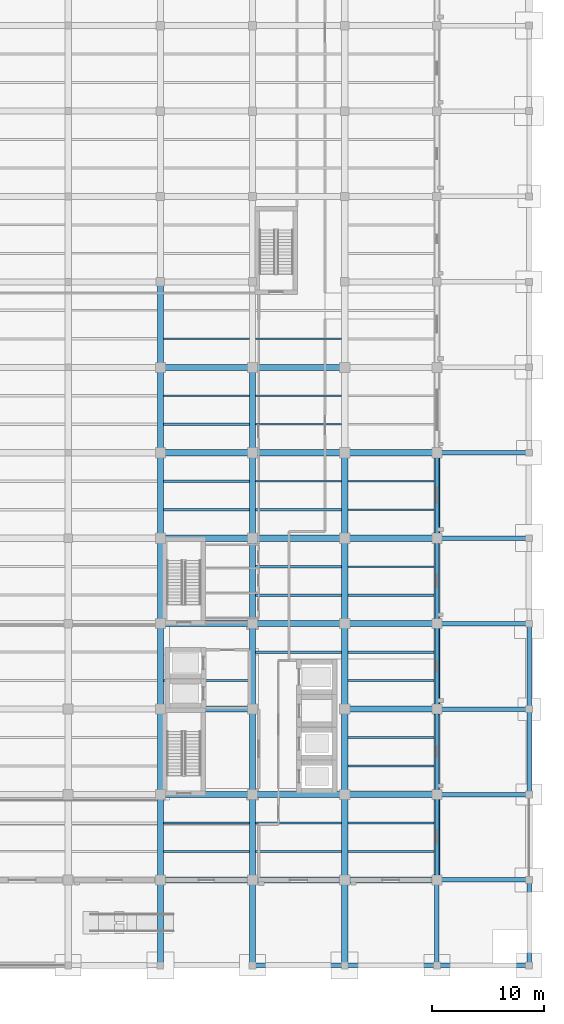
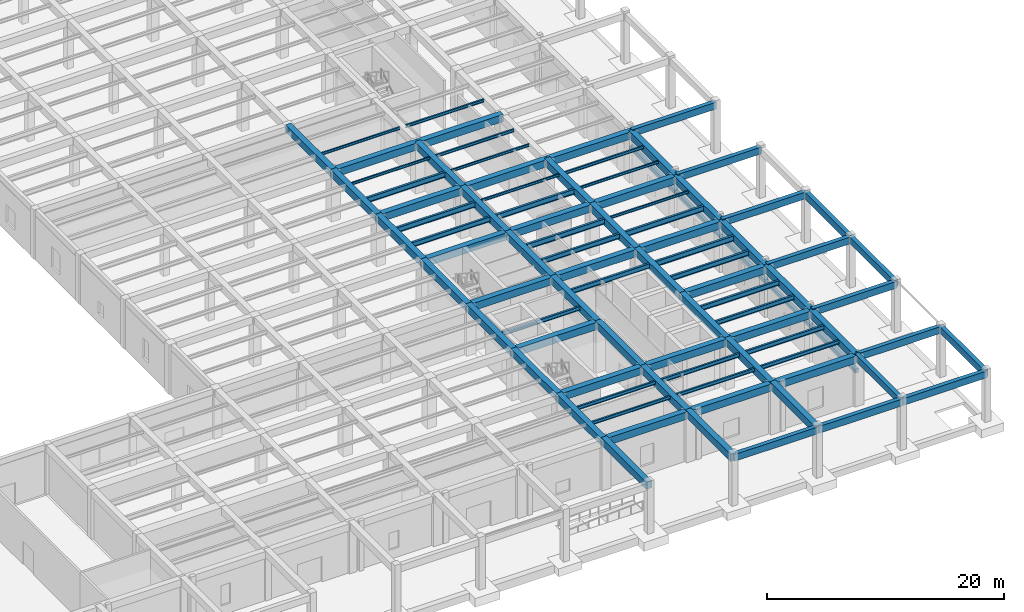
# One storey, part 31 of 64: 91 beams.
"""IFC4 building model written with IfcOpenShell, lengths in metres."""

from ifc_helpers import new_model, si_unit, direction, frame, origin, origin_2d, place, context, subcontext, project, spatial, rectangle, i_section, extrude, material, material_profile, profile_set, type_object, element, save


model = new_model("IFC4")

# Units and contexts
model_context = context("Model", 3, precision=1e-05, world=origin(), true_north=direction((0.0, 1.0)))
body_context = subcontext(model_context, "Body", "Model", "MODEL_VIEW")
ifc_project = project(units=[si_unit("LENGTHUNIT", "METRE"), si_unit("AREAUNIT", "SQUARE_METRE"), si_unit("VOLUMEUNIT", "CUBIC_METRE"), si_unit("PLANEANGLEUNIT", "RADIAN"), si_unit("MASSUNIT", "GRAM", prefix="KILO")], contexts=[model_context])

# Site, building, storey
site_placement = place(None, origin())
site = spatial("IfcSite", under=ifc_project, at=site_placement, CompositionType="ELEMENT")
building_placement = place(site_placement, origin())
building = spatial("IfcBuilding", under=site, at=building_placement, Name="Qandaris Square Conservatory and Botanical Centre", CompositionType="ELEMENT")
storey_placement = place(building_placement, origin())
storey = spatial("IfcBuildingStorey", under=building, at=storey_placement, Name="L00", CompositionType="ELEMENT", Elevation=0.0)

# Beams
ifc_material_1 = material(Name="Steel S355", Category="steel")
ifc_material_profile_1 = material_profile(ifc_material_1, i_section(OverallWidth=0.18994140625, OverallDepth=0.449951171875, WebThickness=0.009521484375, FlangeThickness=0.0146484375, FilletRadius=0.02099609375, at=origin_2d()), Name="IPE 450")
ifc_profile_set_1 = profile_set([ifc_material_profile_1], Name="Steel S355")
beam_type_1 = type_object("IfcBeamType", Name="Composite Archive Joist IPE 450", PredefinedType="JOIST", material=ifc_profile_set_1)
for number, where, z_axis, x_axis, name in (
    (1, (155.875, 21.666748046875, 4.864990234375), (1.0, 0.0, 0.0), (0.0, 1.0, 0.0), "L00 Composite Joist 0876"),
    (2, (155.875, 26.7333984375, 4.864990234375), (1.0, 0.0, 0.0), (0.0, 1.0, 0.0), "L00 Composite Joist 0877"),
):
    element("IfcBeam", number, at=place(storey_placement, frame(where, z_axis=z_axis, x_axis=x_axis)), inside=storey, type_object=beam_type_1, Name=name, PredefinedType="JOIST", context=body_context, shape_type="SweptSolid", body=[
        extrude(i_section(OverallWidth=0.18994140625, OverallDepth=0.449951171875, WebThickness=0.009521484375, FlangeThickness=0.0146484375, FilletRadius=0.02099609375, at=origin_2d()), origin(), (0.0, 0.0, 1.0), 7.64990234375),
    ])
ifc_material_profile_2 = material_profile(ifc_material_1, i_section(OverallWidth=0.199951171875, OverallDepth=0.5, WebThickness=0.01025390625, FlangeThickness=0.01611328125, FilletRadius=0.02099609375, at=origin_2d()), Name="IPE 500")
ifc_profile_set_2 = profile_set([ifc_material_profile_2], Name="Steel S355")
beam_type_2 = type_object("IfcBeamType", Name="Composite Gallery Joist IPE 500", PredefinedType="JOIST", material=ifc_profile_set_2)
for number, where, z_axis, x_axis, name in (
    (3, (139.47509765625, 49.533203125, 4.840087890625), (1.0, 0.0, 0.0), (0.0, 1.0, 0.0), "L00 Composite Joist 0840"),
    (4, (147.675048828125, 36.86669921875, 4.840087890625), (1.0, 0.0, 0.0), (0.0, 1.0, 0.0), "L00 Composite Joist 0858"),
    (5, (147.675048828125, 41.933349609375, 4.840087890625), (1.0, 0.0, 0.0), (0.0, 1.0, 0.0), "L00 Composite Joist 0859"),
    (6, (155.875, 29.2666015625, 4.840087890625), (1.0, 0.0, 0.0), (0.0, 1.0, 0.0), "L00 Composite Joist 0878"),
    (7, (155.875, 34.333251953125, 4.840087890625), (1.0, 0.0, 0.0), (0.0, 1.0, 0.0), "L00 Composite Joist 0879"),
):
    element("IfcBeam", number, at=place(storey_placement, frame(where, z_axis=z_axis, x_axis=x_axis)), inside=storey, type_object=beam_type_2, Name=name, PredefinedType="JOIST", context=body_context, shape_type="SweptSolid", body=[
        extrude(i_section(OverallWidth=0.199951171875, OverallDepth=0.5, WebThickness=0.01025390625, FlangeThickness=0.01611328125, FilletRadius=0.02099609375, at=origin_2d()), origin(), (0.0, 0.0, 1.0), 7.64990234375),
    ])
ifc_material_profile_3 = material_profile(ifc_material_1, i_section(OverallWidth=0.14990234375, OverallDepth=0.300048828125, WebThickness=0.007080078125, FlangeThickness=0.0107421875, FilletRadius=0.014892578125, at=origin_2d()), Name="IPE 300")
ifc_profile_set_3 = profile_set([ifc_material_profile_3], Name="Steel S355")
beam_type_3 = type_object("IfcBeamType", Name="Composite Lab Joist IPE 300", PredefinedType="JOIST", material=ifc_profile_set_3)
for number, where, z_axis, x_axis, name in (
    (8, (147.675048828125, 59.666748046875, 4.93994140625), (1.0, 0.0, 0.0), (0.0, 1.0, 0.0), "L00 Composite Joist 0864"),
    (9, (147.675048828125, 64.7333984375, 4.93994140625), (1.0, 0.0, 0.0), (0.0, 1.0, 0.0), "L00 Composite Joist 0865"),
    (10, (155.875, 52.066650390625, 4.93994140625), (1.0, 0.0, 0.0), (0.0, 1.0, 0.0), "L00 Composite Joist 0884"),
):
    element("IfcBeam", number, at=place(storey_placement, frame(where, z_axis=z_axis, x_axis=x_axis)), inside=storey, type_object=beam_type_3, Name=name, PredefinedType="JOIST", context=body_context, shape_type="SweptSolid", body=[
        extrude(i_section(OverallWidth=0.14990234375, OverallDepth=0.300048828125, WebThickness=0.007080078125, FlangeThickness=0.0107421875, FilletRadius=0.014892578125, at=origin_2d()), origin(), (0.0, 0.0, 1.0), 7.64990234375),
    ])
ifc_material_profile_4 = material_profile(ifc_material_1, i_section(OverallWidth=0.159912109375, OverallDepth=0.330078125, WebThickness=0.007568359375, FlangeThickness=0.011474609375, FilletRadius=0.01806640625, at=origin_2d()), Name="IPE 330")
ifc_profile_set_4 = profile_set([ifc_material_profile_4], Name="Steel S355")
beam_type_4 = type_object("IfcBeamType", Name="Composite Lab Joist IPE 330", PredefinedType="JOIST", material=ifc_profile_set_4)
beam_1_placement = place(storey_placement, frame((139.47509765625, 19.13330078125, 4.925048828125), z_axis=(1.0, 0.0, 0.0), x_axis=(0.0, 1.0, 0.0)))
element("IfcBeam", 11, at=beam_1_placement, inside=storey, type_object=beam_type_4, Name="L00 Composite Joist 0837", PredefinedType="JOIST", context=body_context, shape_type="SweptSolid", body=[
    extrude(i_section(OverallWidth=0.159912109375, OverallDepth=0.330078125, WebThickness=0.007568359375, FlangeThickness=0.011474609375, FilletRadius=0.01806640625, at=origin_2d()), origin(), (0.0, 0.0, 1.0), 7.64990234375),
])
ifc_material_profile_5 = material_profile(ifc_material_1, i_section(OverallWidth=0.169921875, OverallDepth=0.360107421875, WebThickness=0.008056640625, FlangeThickness=0.0126953125, FilletRadius=0.01806640625, at=origin_2d()), Name="IPE 360")
ifc_profile_set_5 = profile_set([ifc_material_profile_5], Name="Steel S355")
beam_type_5 = type_object("IfcBeamType", Name="Composite Lab Joist IPE 360", PredefinedType="JOIST", material=ifc_profile_set_5)
for number, where, z_axis, x_axis, name in (
    (12, (139.47509765625, 21.666748046875, 4.909912109375), (1.0, 0.0, 0.0), (0.0, 1.0, 0.0), "L00 Composite Joist 0838"),
    (13, (147.675048828125, 19.13330078125, 4.909912109375), (1.0, 0.0, 0.0), (0.0, 1.0, 0.0), "L00 Composite Joist 0856"),
):
    element("IfcBeam", number, at=place(storey_placement, frame(where, z_axis=z_axis, x_axis=x_axis)), inside=storey, type_object=beam_type_5, Name=name, PredefinedType="JOIST", context=body_context, shape_type="SweptSolid", body=[
        extrude(i_section(OverallWidth=0.169921875, OverallDepth=0.360107421875, WebThickness=0.008056640625, FlangeThickness=0.0126953125, FilletRadius=0.01806640625, at=origin_2d()), origin(), (0.0, 0.0, 1.0), 7.64990234375),
    ])
ifc_material_profile_6 = material_profile(ifc_material_1, i_section(OverallWidth=0.179931640625, OverallDepth=0.39990234375, WebThickness=0.008544921875, FlangeThickness=0.013427734375, FilletRadius=0.02099609375, at=origin_2d()), Name="IPE 400")
ifc_profile_set_6 = profile_set([ifc_material_profile_6], Name="Steel S355")
beam_type_6 = type_object("IfcBeamType", Name="Composite Plinth Joist IPE 400", PredefinedType="JOIST", material=ifc_profile_set_6)
for number, where, z_axis, x_axis, name in (
    (14, (139.47509765625, 34.333251953125, 4.889892578125), (1.0, 0.0, 0.0), (0.0, 1.0, 0.0), "L00 Composite Joist 0839"),
    (15, (147.675048828125, 21.666748046875, 4.889892578125), (1.0, 0.0, 0.0), (0.0, 1.0, 0.0), "L00 Composite Joist 0857"),
    (16, (155.875, 19.13330078125, 4.889892578125), (1.0, 0.0, 0.0), (0.0, 1.0, 0.0), "L00 Composite Joist 0875"),
):
    element("IfcBeam", number, at=place(storey_placement, frame(where, z_axis=z_axis, x_axis=x_axis)), inside=storey, type_object=beam_type_6, Name=name, PredefinedType="JOIST", context=body_context, shape_type="SweptSolid", body=[
        extrude(i_section(OverallWidth=0.179931640625, OverallDepth=0.39990234375, WebThickness=0.008544921875, FlangeThickness=0.013427734375, FilletRadius=0.02099609375, at=origin_2d()), origin(), (0.0, 0.0, 1.0), 7.64990234375),
    ])
ifc_material_profile_7 = material_profile(ifc_material_1, i_section(OverallWidth=0.2099609375, OverallDepth=0.550048828125, WebThickness=0.010986328125, FlangeThickness=0.01708984375, FilletRadius=0.02392578125, at=origin_2d()), Name="IPE 550")
ifc_profile_set_7 = profile_set([ifc_material_profile_7], Name="Steel S355")
beam_type_7 = type_object("IfcBeamType", Name="Long-Span Foyer Joist IPE 550", PredefinedType="JOIST", material=ifc_profile_set_7)
for number, where, z_axis, x_axis, name in (
    (17, (139.47509765625, 52.066650390625, 4.81494140625), (1.0, 0.0, 0.0), (0.0, 1.0, 0.0), "L00 Composite Joist 0841"),
    (18, (139.47509765625, 57.13330078125, 4.81494140625), (1.0, 0.0, 0.0), (0.0, 1.0, 0.0), "L00 Composite Joist 0842"),
    (19, (147.675048828125, 44.466796875, 4.81494140625), (1.0, 0.0, 0.0), (0.0, 1.0, 0.0), "L00 Composite Joist 0860"),
    (20, (147.675048828125, 49.533203125, 4.81494140625), (1.0, 0.0, 0.0), (0.0, 1.0, 0.0), "L00 Composite Joist 0861"),
    (21, (155.875, 36.86669921875, 4.81494140625), (1.0, 0.0, 0.0), (0.0, 1.0, 0.0), "L00 Composite Joist 0880"),
    (22, (155.875, 41.933349609375, 4.81494140625), (1.0, 0.0, 0.0), (0.0, 1.0, 0.0), "L00 Composite Joist 0881"),
):
    element("IfcBeam", number, at=place(storey_placement, frame(where, z_axis=z_axis, x_axis=x_axis)), inside=storey, type_object=beam_type_7, Name=name, PredefinedType="JOIST", context=body_context, shape_type="SweptSolid", body=[
        extrude(i_section(OverallWidth=0.2099609375, OverallDepth=0.550048828125, WebThickness=0.010986328125, FlangeThickness=0.01708984375, FilletRadius=0.02392578125, at=origin_2d()), origin(), (0.0, 0.0, 1.0), 7.64990234375),
    ])
ifc_material_2 = material(Name="Precast concrete C40/50", Category="concrete")
ifc_material_profile_8 = material_profile(ifc_material_2, rectangle(XDim=0.300048828125, YDim=0.35009765625, at=origin_2d()), Name="RC-LN 300x350")
ifc_profile_set_8 = profile_set([ifc_material_profile_8], Name="Precast concrete C40/50")
beam_type_8 = type_object("IfcBeamType", Name="Precast Opening Lintel 300x350", PredefinedType="LINTEL", material=ifc_profile_set_8)
for number, where, z_axis, x_axis, name in (
    (23, (163.800048828125, 24.199951171875, 3.294921875), (0.0, 1.0, 0.0), (-1.0, 0.0, 0.0), "Precast Lintel 002"),
    (24, (163.800048828125, 39.39990234375, 3.294921875), (0.0, 1.0, 0.0), (-1.0, 0.0, 0.0), "Precast Lintel 004"),
):
    element("IfcBeam", number, at=place(storey_placement, frame(where, z_axis=z_axis, x_axis=x_axis)), inside=storey, type_object=beam_type_8, Name=name, PredefinedType="LINTEL", context=body_context, shape_type="SweptSolid", body=[
        extrude(rectangle(XDim=0.300048828125, YDim=0.35009765625, at=origin_2d()), origin(), (0.0, 0.0, 1.0), 7.60009765625),
    ])
ifc_material_profile_9 = material_profile(ifc_material_2, rectangle(XDim=0.35009765625, YDim=0.39990234375, at=origin_2d()), Name="RC-LN 350x400")
ifc_profile_set_9 = profile_set([ifc_material_profile_9], Name="Precast concrete C40/50")
beam_type_9 = type_object("IfcBeamType", Name="Precast Opening Lintel 350x400", PredefinedType="LINTEL", material=ifc_profile_set_9)
for number, where, z_axis, x_axis, name in (
    (25, (163.800048828125, 16.60009765625, 3.320068359375), (0.0, 1.0, 0.0), (-1.0, 0.0, 0.0), "Precast Lintel 001"),
    (26, (163.800048828125, 31.800048828125, 3.320068359375), (0.0, 1.0, 0.0), (-1.0, 0.0, 0.0), "Precast Lintel 003"),
):
    element("IfcBeam", number, at=place(storey_placement, frame(where, z_axis=z_axis, x_axis=x_axis)), inside=storey, type_object=beam_type_9, Name=name, PredefinedType="LINTEL", context=body_context, shape_type="SweptSolid", body=[
        extrude(rectangle(XDim=0.35009765625, YDim=0.39990234375, at=origin_2d()), origin(), (0.0, 0.0, 1.0), 7.599853515625),
    ])
beam_2_placement = place(storey_placement, frame((163.800048828125, 47.0, 3.320068359375), z_axis=(0.0, 1.0, 0.0), x_axis=(-1.0, 0.0, 0.0)))
element("IfcBeam", 27, at=beam_2_placement, inside=storey, type_object=beam_type_9, Name="Precast Lintel 005", PredefinedType="LINTEL", context=body_context, shape_type="SweptSolid", body=[
    extrude(rectangle(XDim=0.35009765625, YDim=0.39990234375, at=origin_2d()), origin(), (0.0, 0.0, 1.0), 7.60009765625),
])
ifc_material_3 = material(Name="Concrete C50/60", Category="concrete")
ifc_material_profile_10 = material_profile(ifc_material_3, rectangle(XDim=0.39990234375, YDim=0.699951171875, at=origin_2d()), Name="RC-SP 400x700")
ifc_profile_set_10 = profile_set([ifc_material_profile_10], Name="Concrete C50/60")
beam_type_10 = type_object("IfcBeamType", Name="RC Colonnade Spandrel Beam 400x700", PredefinedType="SPANDREL", material=ifc_profile_set_10)
beam_3_placement = place(storey_placement, frame((147.39990234375, 9.0, 4.824951171875), z_axis=(1.0, 0.0, 0.0), x_axis=(0.0, 1.0, 0.0)))
element("IfcBeam", 28, at=beam_3_placement, inside=storey, type_object=beam_type_10, Name="L00 Frame Beam 0331", PredefinedType="SPANDREL", context=body_context, shape_type="SweptSolid", body=[
    extrude(rectangle(XDim=0.39990234375, YDim=0.699951171875, at=origin_2d()), origin(), (0.0, 0.0, 1.0), 8.2001953125),
])
for number, where, z_axis, x_axis, name in (
    (29, (155.60009765625, 9.0, 4.824951171875), (1.0, 0.0, 0.0), (0.0, 1.0, 0.0), "L00 Frame Beam 0332"),
    (30, (163.800048828125, 9.0, 4.824951171875), (1.0, 0.0, 0.0), (0.0, 1.0, 0.0), "L00 Frame Beam 0333"),
    (31, (163.800048828125, 16.60009765625, 4.824951171875), (1.0, 0.0, 0.0), (0.0, 1.0, 0.0), "L00 Frame Beam 0353"),
    (32, (163.800048828125, 24.199951171875, 4.824951171875), (1.0, 0.0, 0.0), (0.0, 1.0, 0.0), "L00 Frame Beam 0364"),
    (33, (163.800048828125, 31.800048828125, 4.824951171875), (1.0, 0.0, 0.0), (0.0, 1.0, 0.0), "L00 Frame Beam 0374"),
    (34, (163.800048828125, 39.39990234375, 4.824951171875), (1.0, 0.0, 0.0), (0.0, 1.0, 0.0), "L00 Frame Beam 0391"),
    (35, (163.800048828125, 47.0, 4.824951171875), (1.0, 0.0, 0.0), (0.0, 1.0, 0.0), "L00 Frame Beam 0402"),
    (36, (163.800048828125, 54.60009765625, 4.824951171875), (1.0, 0.0, 0.0), (0.0, 1.0, 0.0), "L00 Frame Beam 0410"),
):
    element("IfcBeam", number, at=place(storey_placement, frame(where, z_axis=z_axis, x_axis=x_axis)), inside=storey, type_object=beam_type_10, Name=name, PredefinedType="SPANDREL", context=body_context, shape_type="SweptSolid", body=[
        extrude(rectangle(XDim=0.39990234375, YDim=0.699951171875, at=origin_2d()), origin(), (0.0, 0.0, 1.0), 8.199951171875),
    ])
for number, where, z_axis, x_axis, name in (
    (37, (163.800048828125, 9.0, 4.824951171875), (0.0, 1.0, 0.0), (-1.0, 0.0, 0.0), "L00 Frame Beam 0673"),
    (38, (172.0, 9.0, 4.824951171875), (0.0, 1.0, 0.0), (-1.0, 0.0, 0.0), "L00 Frame Beam 0688"),
    (39, (172.0, 24.199951171875, 4.824951171875), (0.0, 1.0, 0.0), (-1.0, 0.0, 0.0), "L00 Frame Beam 0689"),
):
    element("IfcBeam", number, at=place(storey_placement, frame(where, z_axis=z_axis, x_axis=x_axis)), inside=storey, type_object=beam_type_10, Name=name, PredefinedType="SPANDREL", context=body_context, shape_type="SweptSolid", body=[
        extrude(rectangle(XDim=0.39990234375, YDim=0.699951171875, at=origin_2d()), origin(), (0.0, 0.0, 1.0), 7.60009765625),
    ])
beam_4_placement = place(storey_placement, frame((172.0, 31.800048828125, 4.824951171875), z_axis=(0.0, 1.0, 0.0), x_axis=(-1.0, 0.0, 0.0)))
element("IfcBeam", 40, at=beam_4_placement, inside=storey, type_object=beam_type_10, Name="L00 Frame Beam 0690", PredefinedType="SPANDREL", context=body_context, shape_type="SweptSolid", body=[
    extrude(rectangle(XDim=0.39990234375, YDim=0.699951171875, at=origin_2d()), origin(), (0.0, 0.0, 1.0), 7.599853515625),
])
ifc_material_profile_11 = material_profile(ifc_material_3, rectangle(XDim=0.550048828125, YDim=0.75, at=origin_2d()), Name="RC-BM 550x750")
ifc_profile_set_11 = profile_set([ifc_material_profile_11], Name="Concrete C50/60")
beam_type_11 = type_object("IfcBeamType", Name="RC Plinth Girder 550x750", PredefinedType="BEAM", material=ifc_profile_set_11)
beam_5_placement = place(storey_placement, frame((139.199951171875, 16.60009765625, 4.72509765625), z_axis=(1.0, 0.0, 0.0), x_axis=(0.0, 1.0, 0.0)))
element("IfcBeam", 41, at=beam_5_placement, inside=storey, type_object=beam_type_11, Name="L00 Frame Beam 0350", PredefinedType="BEAM", context=body_context, shape_type="SweptSolid", body=[
    extrude(rectangle(XDim=0.550048828125, YDim=0.75, at=origin_2d()), origin(), (0.0, 0.0, 1.0), 8.199951171875),
])
beam_6_placement = place(storey_placement, frame((147.39990234375, 16.60009765625, 4.72509765625), z_axis=(1.0, 0.0, 0.0), x_axis=(0.0, 1.0, 0.0)))
element("IfcBeam", 42, at=beam_6_placement, inside=storey, type_object=beam_type_11, Name="L00 Frame Beam 0351", PredefinedType="BEAM", context=body_context, shape_type="SweptSolid", body=[
    extrude(rectangle(XDim=0.550048828125, YDim=0.75, at=origin_2d()), origin(), (0.0, 0.0, 1.0), 8.2001953125),
])
for number, where, z_axis, x_axis, name in (
    (43, (155.60009765625, 16.60009765625, 4.72509765625), (1.0, 0.0, 0.0), (0.0, 1.0, 0.0), "L00 Frame Beam 0352"),
    (44, (139.199951171875, 24.199951171875, 4.72509765625), (1.0, 0.0, 0.0), (0.0, 1.0, 0.0), "L00 Frame Beam 0361"),
):
    element("IfcBeam", number, at=place(storey_placement, frame(where, z_axis=z_axis, x_axis=x_axis)), inside=storey, type_object=beam_type_11, Name=name, PredefinedType="BEAM", context=body_context, shape_type="SweptSolid", body=[
        extrude(rectangle(XDim=0.550048828125, YDim=0.75, at=origin_2d()), origin(), (0.0, 0.0, 1.0), 8.199951171875),
    ])
beam_7_placement = place(storey_placement, frame((147.39990234375, 24.199951171875, 4.72509765625), z_axis=(1.0, 0.0, 0.0), x_axis=(0.0, 1.0, 0.0)))
element("IfcBeam", 45, at=beam_7_placement, inside=storey, type_object=beam_type_11, Name="L00 Frame Beam 0362", PredefinedType="BEAM", context=body_context, shape_type="SweptSolid", body=[
    extrude(rectangle(XDim=0.550048828125, YDim=0.75, at=origin_2d()), origin(), (0.0, 0.0, 1.0), 8.2001953125),
])
for number, where, z_axis, x_axis, name in (
    (46, (155.60009765625, 24.199951171875, 4.72509765625), (1.0, 0.0, 0.0), (0.0, 1.0, 0.0), "L00 Frame Beam 0363"),
    (47, (139.199951171875, 31.800048828125, 4.72509765625), (1.0, 0.0, 0.0), (0.0, 1.0, 0.0), "L00 Frame Beam 0372"),
    (48, (155.60009765625, 31.800048828125, 4.72509765625), (1.0, 0.0, 0.0), (0.0, 1.0, 0.0), "L00 Frame Beam 0373"),
    (49, (139.199951171875, 39.39990234375, 4.72509765625), (1.0, 0.0, 0.0), (0.0, 1.0, 0.0), "L00 Frame Beam 0388"),
):
    element("IfcBeam", number, at=place(storey_placement, frame(where, z_axis=z_axis, x_axis=x_axis)), inside=storey, type_object=beam_type_11, Name=name, PredefinedType="BEAM", context=body_context, shape_type="SweptSolid", body=[
        extrude(rectangle(XDim=0.550048828125, YDim=0.75, at=origin_2d()), origin(), (0.0, 0.0, 1.0), 8.199951171875),
    ])
beam_8_placement = place(storey_placement, frame((147.39990234375, 39.39990234375, 4.72509765625), z_axis=(1.0, 0.0, 0.0), x_axis=(0.0, 1.0, 0.0)))
element("IfcBeam", 50, at=beam_8_placement, inside=storey, type_object=beam_type_11, Name="L00 Frame Beam 0389", PredefinedType="BEAM", context=body_context, shape_type="SweptSolid", body=[
    extrude(rectangle(XDim=0.550048828125, YDim=0.75, at=origin_2d()), origin(), (0.0, 0.0, 1.0), 8.2001953125),
])
for number, where, z_axis, x_axis, name in (
    (51, (155.60009765625, 39.39990234375, 4.72509765625), (1.0, 0.0, 0.0), (0.0, 1.0, 0.0), "L00 Frame Beam 0390"),
    (52, (139.199951171875, 47.0, 4.72509765625), (1.0, 0.0, 0.0), (0.0, 1.0, 0.0), "L00 Frame Beam 0399"),
):
    element("IfcBeam", number, at=place(storey_placement, frame(where, z_axis=z_axis, x_axis=x_axis)), inside=storey, type_object=beam_type_11, Name=name, PredefinedType="BEAM", context=body_context, shape_type="SweptSolid", body=[
        extrude(rectangle(XDim=0.550048828125, YDim=0.75, at=origin_2d()), origin(), (0.0, 0.0, 1.0), 8.199951171875),
    ])
beam_9_placement = place(storey_placement, frame((147.39990234375, 47.0, 4.72509765625), z_axis=(1.0, 0.0, 0.0), x_axis=(0.0, 1.0, 0.0)))
element("IfcBeam", 53, at=beam_9_placement, inside=storey, type_object=beam_type_11, Name="L00 Frame Beam 0400", PredefinedType="BEAM", context=body_context, shape_type="SweptSolid", body=[
    extrude(rectangle(XDim=0.550048828125, YDim=0.75, at=origin_2d()), origin(), (0.0, 0.0, 1.0), 8.2001953125),
])
for number, where, z_axis, x_axis, name in (
    (54, (155.60009765625, 47.0, 4.72509765625), (1.0, 0.0, 0.0), (0.0, 1.0, 0.0), "L00 Frame Beam 0401"),
    (55, (139.199951171875, 54.60009765625, 4.72509765625), (1.0, 0.0, 0.0), (0.0, 1.0, 0.0), "L00 Frame Beam 0407"),
):
    element("IfcBeam", number, at=place(storey_placement, frame(where, z_axis=z_axis, x_axis=x_axis)), inside=storey, type_object=beam_type_11, Name=name, PredefinedType="BEAM", context=body_context, shape_type="SweptSolid", body=[
        extrude(rectangle(XDim=0.550048828125, YDim=0.75, at=origin_2d()), origin(), (0.0, 0.0, 1.0), 8.199951171875),
    ])
beam_10_placement = place(storey_placement, frame((147.39990234375, 54.60009765625, 4.72509765625), z_axis=(1.0, 0.0, 0.0), x_axis=(0.0, 1.0, 0.0)))
element("IfcBeam", 56, at=beam_10_placement, inside=storey, type_object=beam_type_11, Name="L00 Frame Beam 0408", PredefinedType="BEAM", context=body_context, shape_type="SweptSolid", body=[
    extrude(rectangle(XDim=0.550048828125, YDim=0.75, at=origin_2d()), origin(), (0.0, 0.0, 1.0), 8.2001953125),
])
for number, where, z_axis, x_axis, name in (
    (57, (155.60009765625, 54.60009765625, 4.72509765625), (1.0, 0.0, 0.0), (0.0, 1.0, 0.0), "L00 Frame Beam 0409"),
    (58, (139.199951171875, 62.199951171875, 4.72509765625), (1.0, 0.0, 0.0), (0.0, 1.0, 0.0), "L00 Frame Beam 0415"),
):
    element("IfcBeam", number, at=place(storey_placement, frame(where, z_axis=z_axis, x_axis=x_axis)), inside=storey, type_object=beam_type_11, Name=name, PredefinedType="BEAM", context=body_context, shape_type="SweptSolid", body=[
        extrude(rectangle(XDim=0.550048828125, YDim=0.75, at=origin_2d()), origin(), (0.0, 0.0, 1.0), 8.199951171875),
    ])
beam_11_placement = place(storey_placement, frame((147.39990234375, 62.199951171875, 4.72509765625), z_axis=(1.0, 0.0, 0.0), x_axis=(0.0, 1.0, 0.0)))
element("IfcBeam", 59, at=beam_11_placement, inside=storey, type_object=beam_type_11, Name="L00 Frame Beam 0416", PredefinedType="BEAM", context=body_context, shape_type="SweptSolid", body=[
    extrude(rectangle(XDim=0.550048828125, YDim=0.75, at=origin_2d()), origin(), (0.0, 0.0, 1.0), 8.2001953125),
])
beam_12_placement = place(storey_placement, frame((139.199951171875, 9.0, 4.800048828125), z_axis=(0.0, 1.0, 0.0), x_axis=(-1.0, 0.0, 0.0)))
element("IfcBeam", 60, at=beam_12_placement, inside=storey, type_object=beam_type_11, Name="L00 Frame Beam 0631", PredefinedType="BEAM", context=body_context, shape_type="SweptSolid", body=[
    extrude(rectangle(XDim=0.550048828125, YDim=0.75, at=origin_2d()), origin(), (0.0, 0.0, 1.0), 7.60009765625),
])
beam_13_placement = place(storey_placement, frame((139.199951171875, 16.60009765625, 4.72509765625), z_axis=(0.0, 1.0, 0.0), x_axis=(-1.0, 0.0, 0.0)))
element("IfcBeam", 61, at=beam_13_placement, inside=storey, type_object=beam_type_11, Name="L00 Frame Beam 0632", PredefinedType="BEAM", context=body_context, shape_type="SweptSolid", body=[
    extrude(rectangle(XDim=0.550048828125, YDim=0.75, at=origin_2d()), origin(), (0.0, 0.0, 1.0), 7.599853515625),
])
beam_14_placement = place(storey_placement, frame((139.199951171875, 24.199951171875, 4.72509765625), z_axis=(0.0, 1.0, 0.0), x_axis=(-1.0, 0.0, 0.0)))
element("IfcBeam", 62, at=beam_14_placement, inside=storey, type_object=beam_type_11, Name="L00 Frame Beam 0633", PredefinedType="BEAM", context=body_context, shape_type="SweptSolid", body=[
    extrude(rectangle(XDim=0.550048828125, YDim=0.75, at=origin_2d()), origin(), (0.0, 0.0, 1.0), 7.60009765625),
])
beam_15_placement = place(storey_placement, frame((139.199951171875, 31.800048828125, 4.72509765625), z_axis=(0.0, 1.0, 0.0), x_axis=(-1.0, 0.0, 0.0)))
element("IfcBeam", 63, at=beam_15_placement, inside=storey, type_object=beam_type_11, Name="L00 Frame Beam 0634", PredefinedType="BEAM", context=body_context, shape_type="SweptSolid", body=[
    extrude(rectangle(XDim=0.550048828125, YDim=0.75, at=origin_2d()), origin(), (0.0, 0.0, 1.0), 7.599853515625),
])
for number, where, z_axis, x_axis, name in (
    (64, (139.199951171875, 39.39990234375, 4.72509765625), (0.0, 1.0, 0.0), (-1.0, 0.0, 0.0), "L00 Frame Beam 0635"),
    (65, (139.199951171875, 47.0, 4.72509765625), (0.0, 1.0, 0.0), (-1.0, 0.0, 0.0), "L00 Frame Beam 0636"),
):
    element("IfcBeam", number, at=place(storey_placement, frame(where, z_axis=z_axis, x_axis=x_axis)), inside=storey, type_object=beam_type_11, Name=name, PredefinedType="BEAM", context=body_context, shape_type="SweptSolid", body=[
        extrude(rectangle(XDim=0.550048828125, YDim=0.75, at=origin_2d()), origin(), (0.0, 0.0, 1.0), 7.60009765625),
    ])
beam_16_placement = place(storey_placement, frame((139.199951171875, 54.60009765625, 4.72509765625), z_axis=(0.0, 1.0, 0.0), x_axis=(-1.0, 0.0, 0.0)))
element("IfcBeam", 66, at=beam_16_placement, inside=storey, type_object=beam_type_11, Name="L00 Frame Beam 0637", PredefinedType="BEAM", context=body_context, shape_type="SweptSolid", body=[
    extrude(rectangle(XDim=0.550048828125, YDim=0.75, at=origin_2d()), origin(), (0.0, 0.0, 1.0), 7.599853515625),
])
for number, where, z_axis, x_axis, name in (
    (67, (139.199951171875, 62.199951171875, 4.72509765625), (0.0, 1.0, 0.0), (-1.0, 0.0, 0.0), "L00 Frame Beam 0638"),
    (68, (147.39990234375, 9.0, 4.800048828125), (0.0, 1.0, 0.0), (-1.0, 0.0, 0.0), "L00 Frame Beam 0645"),
):
    element("IfcBeam", number, at=place(storey_placement, frame(where, z_axis=z_axis, x_axis=x_axis)), inside=storey, type_object=beam_type_11, Name=name, PredefinedType="BEAM", context=body_context, shape_type="SweptSolid", body=[
        extrude(rectangle(XDim=0.550048828125, YDim=0.75, at=origin_2d()), origin(), (0.0, 0.0, 1.0), 7.60009765625),
    ])
beam_17_placement = place(storey_placement, frame((147.39990234375, 16.60009765625, 4.72509765625), z_axis=(0.0, 1.0, 0.0), x_axis=(-1.0, 0.0, 0.0)))
element("IfcBeam", 69, at=beam_17_placement, inside=storey, type_object=beam_type_11, Name="L00 Frame Beam 0646", PredefinedType="BEAM", context=body_context, shape_type="SweptSolid", body=[
    extrude(rectangle(XDim=0.550048828125, YDim=0.75, at=origin_2d()), origin(), (0.0, 0.0, 1.0), 7.599853515625),
])
beam_18_placement = place(storey_placement, frame((147.39990234375, 24.199951171875, 4.72509765625), z_axis=(0.0, 1.0, 0.0), x_axis=(-1.0, 0.0, 0.0)))
element("IfcBeam", 70, at=beam_18_placement, inside=storey, type_object=beam_type_11, Name="L00 Frame Beam 0647", PredefinedType="BEAM", context=body_context, shape_type="SweptSolid", body=[
    extrude(rectangle(XDim=0.550048828125, YDim=0.75, at=origin_2d()), origin(), (0.0, 0.0, 1.0), 7.60009765625),
])
beam_19_placement = place(storey_placement, frame((147.39990234375, 31.800048828125, 4.72509765625), z_axis=(0.0, 1.0, 0.0), x_axis=(-1.0, 0.0, 0.0)))
element("IfcBeam", 71, at=beam_19_placement, inside=storey, type_object=beam_type_11, Name="L00 Frame Beam 0648", PredefinedType="BEAM", context=body_context, shape_type="SweptSolid", body=[
    extrude(rectangle(XDim=0.550048828125, YDim=0.75, at=origin_2d()), origin(), (0.0, 0.0, 1.0), 7.599853515625),
])
for number, where, z_axis, x_axis, name in (
    (72, (147.39990234375, 39.39990234375, 4.72509765625), (0.0, 1.0, 0.0), (-1.0, 0.0, 0.0), "L00 Frame Beam 0649"),
    (73, (147.39990234375, 47.0, 4.72509765625), (0.0, 1.0, 0.0), (-1.0, 0.0, 0.0), "L00 Frame Beam 0650"),
):
    element("IfcBeam", number, at=place(storey_placement, frame(where, z_axis=z_axis, x_axis=x_axis)), inside=storey, type_object=beam_type_11, Name=name, PredefinedType="BEAM", context=body_context, shape_type="SweptSolid", body=[
        extrude(rectangle(XDim=0.550048828125, YDim=0.75, at=origin_2d()), origin(), (0.0, 0.0, 1.0), 7.60009765625),
    ])
beam_20_placement = place(storey_placement, frame((147.39990234375, 54.60009765625, 4.72509765625), z_axis=(0.0, 1.0, 0.0), x_axis=(-1.0, 0.0, 0.0)))
element("IfcBeam", 74, at=beam_20_placement, inside=storey, type_object=beam_type_11, Name="L00 Frame Beam 0651", PredefinedType="BEAM", context=body_context, shape_type="SweptSolid", body=[
    extrude(rectangle(XDim=0.550048828125, YDim=0.75, at=origin_2d()), origin(), (0.0, 0.0, 1.0), 7.599853515625),
])
beam_21_placement = place(storey_placement, frame((155.60009765625, 9.0, 4.800048828125), z_axis=(0.0, 1.0, 0.0), x_axis=(-1.0, 0.0, 0.0)))
element("IfcBeam", 75, at=beam_21_placement, inside=storey, type_object=beam_type_11, Name="L00 Frame Beam 0659", PredefinedType="BEAM", context=body_context, shape_type="SweptSolid", body=[
    extrude(rectangle(XDim=0.550048828125, YDim=0.75, at=origin_2d()), origin(), (0.0, 0.0, 1.0), 7.60009765625),
])
beam_22_placement = place(storey_placement, frame((155.60009765625, 16.60009765625, 4.72509765625), z_axis=(0.0, 1.0, 0.0), x_axis=(-1.0, 0.0, 0.0)))
element("IfcBeam", 76, at=beam_22_placement, inside=storey, type_object=beam_type_11, Name="L00 Frame Beam 0660", PredefinedType="BEAM", context=body_context, shape_type="SweptSolid", body=[
    extrude(rectangle(XDim=0.550048828125, YDim=0.75, at=origin_2d()), origin(), (0.0, 0.0, 1.0), 7.599853515625),
])
beam_23_placement = place(storey_placement, frame((155.60009765625, 24.199951171875, 4.72509765625), z_axis=(0.0, 1.0, 0.0), x_axis=(-1.0, 0.0, 0.0)))
element("IfcBeam", 77, at=beam_23_placement, inside=storey, type_object=beam_type_11, Name="L00 Frame Beam 0661", PredefinedType="BEAM", context=body_context, shape_type="SweptSolid", body=[
    extrude(rectangle(XDim=0.550048828125, YDim=0.75, at=origin_2d()), origin(), (0.0, 0.0, 1.0), 7.60009765625),
])
beam_24_placement = place(storey_placement, frame((155.60009765625, 31.800048828125, 4.72509765625), z_axis=(0.0, 1.0, 0.0), x_axis=(-1.0, 0.0, 0.0)))
element("IfcBeam", 78, at=beam_24_placement, inside=storey, type_object=beam_type_11, Name="L00 Frame Beam 0662", PredefinedType="BEAM", context=body_context, shape_type="SweptSolid", body=[
    extrude(rectangle(XDim=0.550048828125, YDim=0.75, at=origin_2d()), origin(), (0.0, 0.0, 1.0), 7.599853515625),
])
for number, where, z_axis, x_axis, name in (
    (79, (155.60009765625, 39.39990234375, 4.72509765625), (0.0, 1.0, 0.0), (-1.0, 0.0, 0.0), "L00 Frame Beam 0663"),
    (80, (155.60009765625, 47.0, 4.72509765625), (0.0, 1.0, 0.0), (-1.0, 0.0, 0.0), "L00 Frame Beam 0664"),
):
    element("IfcBeam", number, at=place(storey_placement, frame(where, z_axis=z_axis, x_axis=x_axis)), inside=storey, type_object=beam_type_11, Name=name, PredefinedType="BEAM", context=body_context, shape_type="SweptSolid", body=[
        extrude(rectangle(XDim=0.550048828125, YDim=0.75, at=origin_2d()), origin(), (0.0, 0.0, 1.0), 7.60009765625),
    ])
beam_25_placement = place(storey_placement, frame((163.800048828125, 16.60009765625, 4.72509765625), z_axis=(0.0, 1.0, 0.0), x_axis=(-1.0, 0.0, 0.0)))
element("IfcBeam", 81, at=beam_25_placement, inside=storey, type_object=beam_type_11, Name="L00 Frame Beam 0674", PredefinedType="BEAM", context=body_context, shape_type="SweptSolid", body=[
    extrude(rectangle(XDim=0.550048828125, YDim=0.75, at=origin_2d()), origin(), (0.0, 0.0, 1.0), 7.599853515625),
])
beam_26_placement = place(storey_placement, frame((163.800048828125, 24.199951171875, 4.72509765625), z_axis=(0.0, 1.0, 0.0), x_axis=(-1.0, 0.0, 0.0)))
element("IfcBeam", 82, at=beam_26_placement, inside=storey, type_object=beam_type_11, Name="L00 Frame Beam 0675", PredefinedType="BEAM", context=body_context, shape_type="SweptSolid", body=[
    extrude(rectangle(XDim=0.550048828125, YDim=0.75, at=origin_2d()), origin(), (0.0, 0.0, 1.0), 7.60009765625),
])
beam_27_placement = place(storey_placement, frame((163.800048828125, 31.800048828125, 4.72509765625), z_axis=(0.0, 1.0, 0.0), x_axis=(-1.0, 0.0, 0.0)))
element("IfcBeam", 83, at=beam_27_placement, inside=storey, type_object=beam_type_11, Name="L00 Frame Beam 0676", PredefinedType="BEAM", context=body_context, shape_type="SweptSolid", body=[
    extrude(rectangle(XDim=0.550048828125, YDim=0.75, at=origin_2d()), origin(), (0.0, 0.0, 1.0), 7.599853515625),
])
for number, where, z_axis, x_axis, name in (
    (84, (163.800048828125, 39.39990234375, 4.72509765625), (0.0, 1.0, 0.0), (-1.0, 0.0, 0.0), "L00 Frame Beam 0677"),
    (85, (163.800048828125, 47.0, 4.72509765625), (0.0, 1.0, 0.0), (-1.0, 0.0, 0.0), "L00 Frame Beam 0678"),
):
    element("IfcBeam", number, at=place(storey_placement, frame(where, z_axis=z_axis, x_axis=x_axis)), inside=storey, type_object=beam_type_11, Name=name, PredefinedType="BEAM", context=body_context, shape_type="SweptSolid", body=[
        extrude(rectangle(XDim=0.550048828125, YDim=0.75, at=origin_2d()), origin(), (0.0, 0.0, 1.0), 7.60009765625),
    ])
ifc_material_profile_12 = material_profile(ifc_material_1, i_section(OverallWidth=0.135009765625, OverallDepth=0.27001953125, WebThickness=0.006591796875, FlangeThickness=0.01025390625, FilletRadius=0.014892578125, at=origin_2d()), Name="IPE 270")
ifc_profile_set_12 = profile_set([ifc_material_profile_12], Name="Steel S355")
beam_type_12 = type_object("IfcBeamType", Name="Steel Floor Joist IPE 270", PredefinedType="JOIST", material=ifc_profile_set_12)
for number, where, z_axis, x_axis, name in (
    (86, (139.47509765625, 59.666748046875, 4.955078125), (1.0, 0.0, 0.0), (0.0, 1.0, 0.0), "L00 Composite Joist 0843"),
    (87, (139.47509765625, 64.7333984375, 4.955078125), (1.0, 0.0, 0.0), (0.0, 1.0, 0.0), "L00 Composite Joist 0844"),
    (88, (147.675048828125, 52.066650390625, 4.955078125), (1.0, 0.0, 0.0), (0.0, 1.0, 0.0), "L00 Composite Joist 0862"),
    (89, (147.675048828125, 57.13330078125, 4.955078125), (1.0, 0.0, 0.0), (0.0, 1.0, 0.0), "L00 Composite Joist 0863"),
    (90, (155.875, 44.466796875, 4.955078125), (1.0, 0.0, 0.0), (0.0, 1.0, 0.0), "L00 Composite Joist 0882"),
    (91, (155.875, 49.533203125, 4.955078125), (1.0, 0.0, 0.0), (0.0, 1.0, 0.0), "L00 Composite Joist 0883"),
):
    element("IfcBeam", number, at=place(storey_placement, frame(where, z_axis=z_axis, x_axis=x_axis)), inside=storey, type_object=beam_type_12, Name=name, PredefinedType="JOIST", context=body_context, shape_type="SweptSolid", body=[
        extrude(i_section(OverallWidth=0.135009765625, OverallDepth=0.27001953125, WebThickness=0.006591796875, FlangeThickness=0.01025390625, FilletRadius=0.014892578125, at=origin_2d()), origin(), (0.0, 0.0, 1.0), 7.64990234375),
    ])

save(model, "model.ifc")
